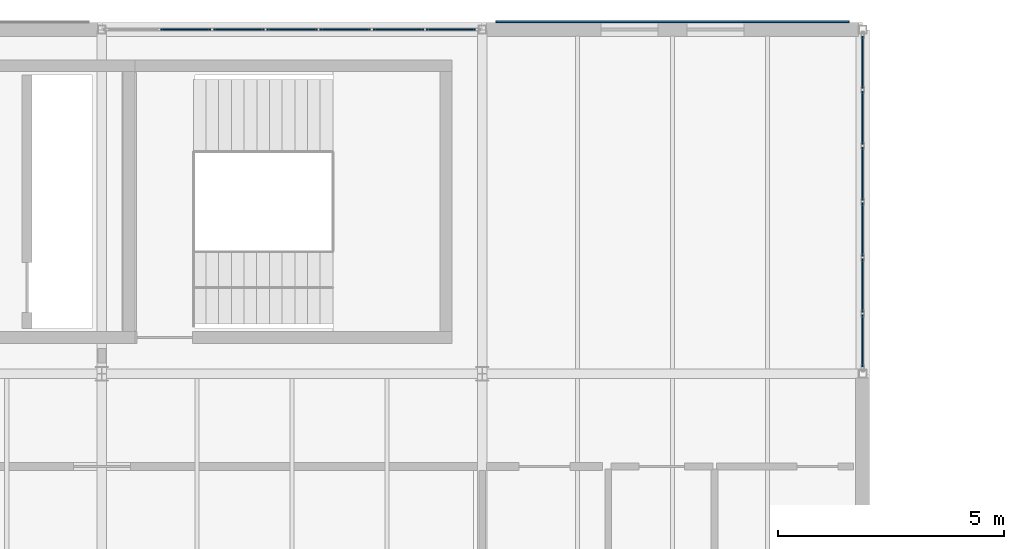
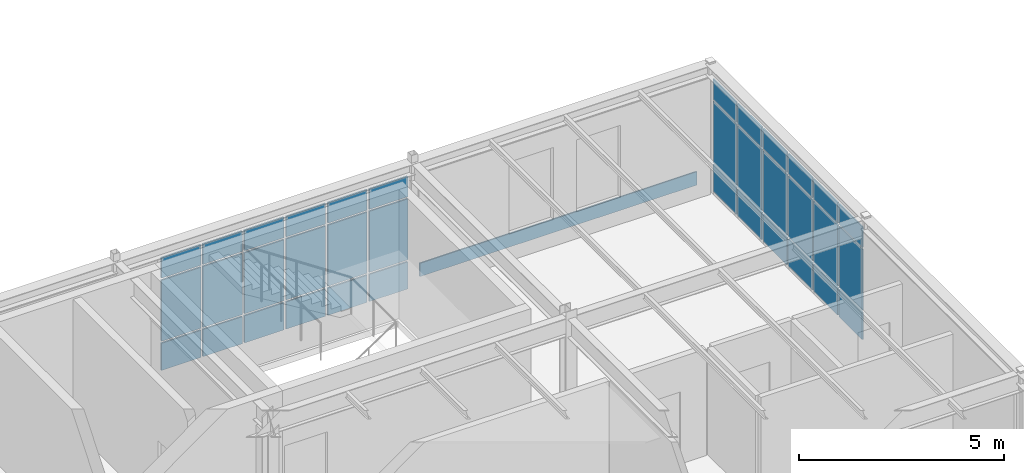
# One storey, part 43 of 65: 37 plates, 2 elements without a shape of their own.
"""IFC4 building model written with IfcOpenShell, lengths in metres."""

from ifc_helpers import new_model, si_unit, direction, frame, origin, origin_2d, place, context, subcontext, project, spatial, rectangle, extrude, material, layer, layer_set, type_object, element, aggregate, save


model = new_model("IFC4")

# Units and contexts
model_context = context("Model", 3, precision=1e-05, world=origin(), true_north=direction((0.0, 1.0)))
body_context = subcontext(model_context, "Body", "Model", "MODEL_VIEW")
ifc_project = project(units=[si_unit("LENGTHUNIT", "METRE"), si_unit("AREAUNIT", "SQUARE_METRE"), si_unit("VOLUMEUNIT", "CUBIC_METRE"), si_unit("PLANEANGLEUNIT", "RADIAN"), si_unit("MASSUNIT", "GRAM", prefix="KILO")], contexts=[model_context])

# Site, building, storey
site_placement = place(None, origin())
site = spatial("IfcSite", under=ifc_project, at=site_placement, CompositionType="ELEMENT")
building_placement = place(site_placement, origin())
building = spatial("IfcBuilding", under=site, at=building_placement, Name="Montecoro Central Library", CompositionType="ELEMENT")
storey_placement = place(building_placement, frame((0.0, 0.0, 17.340087890625)))
storey = spatial("IfcBuildingStorey", under=building, at=storey_placement, Name="L04", CompositionType="ELEMENT", Elevation=17.340087890625)

# Curtain wall, plates
ifc_material_1 = material(Name="Bronze-anodised aluminium and low-E glazing", Category="aluminium")
ifc_layer_1 = layer(ifc_material_1, 0.159912109375)
ifc_layer_set_1 = layer_set([ifc_layer_1], Name="Bronze-anodised aluminium and low-E glazing")
curtain_wall_type_1 = type_object("IfcCurtainWallType", Name="CWT-021", PredefinedType="NOTDEFINED", material=ifc_layer_set_1)
curtain_wall_1_placement = place(storey_placement, origin())
curtain_wall_1 = element("IfcCurtainWall", 1, at=curtain_wall_1_placement, inside=storey, type_object=curtain_wall_type_1, Name="V2-L04-CW-E2", PredefinedType="NOTDEFINED")
ifc_material_2 = material(Name="Laminated low-E double glazing", Category="glass")
ifc_layer_2 = layer(ifc_material_2, 0.033935546875)
ifc_layer_set_2 = layer_set([ifc_layer_2], Name="Laminated low-E double glazing")
plate_type_1 = type_object("IfcPlateType", Name="CWP-GLZ-03", PredefinedType="CURTAIN_PANEL", material=ifc_layer_set_2)
plate_1_placement = place(storey_placement, frame((116.800048828125, 112.125732421875, 0.059814453125), z_axis=(0.0, 0.0, 1.0), x_axis=(0.0, 1.0, 0.0)))
plate_1 = element("IfcPlate", 2, at=plate_1_placement, type_object=plate_type_1, Name="CW-021 panel 1.1", PredefinedType="CURTAIN_PANEL", context=body_context, shape_type="SweptSolid", body=[
    extrude(rectangle(XDim=1.145751953125, YDim=0.033935546875, at=origin_2d()), origin(), (0.0, 0.0, 1.0), 0.81005859375),
])
plate_2_placement = place(storey_placement, frame((116.800048828125, 112.125732421875, 0.9296875), z_axis=(0.0, 0.0, 1.0), x_axis=(0.0, 1.0, 0.0)))
plate_2 = element("IfcPlate", 3, at=plate_2_placement, type_object=plate_type_1, Name="CW-021 panel 1.2", PredefinedType="CURTAIN_PANEL", context=body_context, shape_type="SweptSolid", body=[
    extrude(rectangle(XDim=1.145751953125, YDim=0.033935546875, at=origin_2d()), origin(), (0.0, 0.0, 1.0), 1.820068359375),
])
plate_3_placement = place(storey_placement, frame((116.800048828125, 112.125732421875, 2.81005859375), z_axis=(0.0, 0.0, 1.0), x_axis=(0.0, 1.0, 0.0)))
plate_3 = element("IfcPlate", 4, at=plate_3_placement, type_object=plate_type_1, Name="CW-021 panel 1.3", PredefinedType="CURTAIN_PANEL", context=body_context, shape_type="SweptSolid", body=[
    extrude(rectangle(XDim=1.145751953125, YDim=0.033935546875, at=origin_2d()), origin(), (0.0, 0.0, 1.0), 0.610107421875),
])
plate_4_placement = place(storey_placement, frame((116.800048828125, 113.346435546875, 0.059814453125), z_axis=(0.0, 0.0, 1.0), x_axis=(0.0, 1.0, 0.0)))
plate_4 = element("IfcPlate", 5, at=plate_4_placement, type_object=plate_type_1, Name="CW-021 panel 2.1", PredefinedType="CURTAIN_PANEL", context=body_context, shape_type="SweptSolid", body=[
    extrude(rectangle(XDim=1.17578125, YDim=0.033935546875, at=origin_2d()), origin(), (0.0, 0.0, 1.0), 0.81005859375),
])
plate_5_placement = place(storey_placement, frame((116.800048828125, 113.346435546875, 0.9296875), z_axis=(0.0, 0.0, 1.0), x_axis=(0.0, 1.0, 0.0)))
plate_5 = element("IfcPlate", 6, at=plate_5_placement, type_object=plate_type_1, Name="CW-021 panel 2.2", PredefinedType="CURTAIN_PANEL", context=body_context, shape_type="SweptSolid", body=[
    extrude(rectangle(XDim=1.17578125, YDim=0.033935546875, at=origin_2d()), origin(), (0.0, 0.0, 1.0), 1.820068359375),
])
plate_6_placement = place(storey_placement, frame((116.800048828125, 113.346435546875, 2.81005859375), z_axis=(0.0, 0.0, 1.0), x_axis=(0.0, 1.0, 0.0)))
plate_6 = element("IfcPlate", 7, at=plate_6_placement, type_object=plate_type_1, Name="CW-021 panel 2.3", PredefinedType="CURTAIN_PANEL", context=body_context, shape_type="SweptSolid", body=[
    extrude(rectangle(XDim=1.17578125, YDim=0.033935546875, at=origin_2d()), origin(), (0.0, 0.0, 1.0), 0.610107421875),
])
plate_7_placement = place(storey_placement, frame((116.800048828125, 114.582275390625, 0.059814453125), z_axis=(0.0, 0.0, 1.0), x_axis=(0.0, 1.0, 0.0)))
plate_7 = element("IfcPlate", 8, at=plate_7_placement, type_object=plate_type_1, Name="CW-021 panel 3.1", PredefinedType="CURTAIN_PANEL", context=body_context, shape_type="SweptSolid", body=[
    extrude(rectangle(XDim=1.17578125, YDim=0.033935546875, at=origin_2d()), origin(), (0.0, 0.0, 1.0), 0.81005859375),
])
plate_8_placement = place(storey_placement, frame((116.800048828125, 114.582275390625, 0.9296875), z_axis=(0.0, 0.0, 1.0), x_axis=(0.0, 1.0, 0.0)))
plate_8 = element("IfcPlate", 9, at=plate_8_placement, type_object=plate_type_1, Name="CW-021 panel 3.2", PredefinedType="CURTAIN_PANEL", context=body_context, shape_type="SweptSolid", body=[
    extrude(rectangle(XDim=1.17578125, YDim=0.033935546875, at=origin_2d()), origin(), (0.0, 0.0, 1.0), 1.820068359375),
])
plate_9_placement = place(storey_placement, frame((116.800048828125, 114.582275390625, 2.81005859375), z_axis=(0.0, 0.0, 1.0), x_axis=(0.0, 1.0, 0.0)))
plate_9 = element("IfcPlate", 10, at=plate_9_placement, type_object=plate_type_1, Name="CW-021 panel 3.3", PredefinedType="CURTAIN_PANEL", context=body_context, shape_type="SweptSolid", body=[
    extrude(rectangle(XDim=1.17578125, YDim=0.033935546875, at=origin_2d()), origin(), (0.0, 0.0, 1.0), 0.610107421875),
])
plate_10_placement = place(storey_placement, frame((116.800048828125, 115.81787109375, 0.059814453125), z_axis=(0.0, 0.0, 1.0), x_axis=(0.0, 1.0, 0.0)))
plate_10 = element("IfcPlate", 11, at=plate_10_placement, type_object=plate_type_1, Name="CW-021 panel 4.1", PredefinedType="CURTAIN_PANEL", context=body_context, shape_type="SweptSolid", body=[
    extrude(rectangle(XDim=1.17578125, YDim=0.033935546875, at=origin_2d()), origin(), (0.0, 0.0, 1.0), 0.81005859375),
])
plate_11_placement = place(storey_placement, frame((116.800048828125, 115.81787109375, 0.9296875), z_axis=(0.0, 0.0, 1.0), x_axis=(0.0, 1.0, 0.0)))
plate_11 = element("IfcPlate", 12, at=plate_11_placement, type_object=plate_type_1, Name="CW-021 panel 4.2", PredefinedType="CURTAIN_PANEL", context=body_context, shape_type="SweptSolid", body=[
    extrude(rectangle(XDim=1.17578125, YDim=0.033935546875, at=origin_2d()), origin(), (0.0, 0.0, 1.0), 1.820068359375),
])
plate_12_placement = place(storey_placement, frame((116.800048828125, 115.81787109375, 2.81005859375), z_axis=(0.0, 0.0, 1.0), x_axis=(0.0, 1.0, 0.0)))
plate_12 = element("IfcPlate", 13, at=plate_12_placement, type_object=plate_type_1, Name="CW-021 panel 4.3", PredefinedType="CURTAIN_PANEL", context=body_context, shape_type="SweptSolid", body=[
    extrude(rectangle(XDim=1.17578125, YDim=0.033935546875, at=origin_2d()), origin(), (0.0, 0.0, 1.0), 0.610107421875),
])
plate_13_placement = place(storey_placement, frame((116.800048828125, 117.053466796875, 0.059814453125), z_axis=(0.0, 0.0, 1.0), x_axis=(0.0, 1.0, 0.0)))
plate_13 = element("IfcPlate", 14, at=plate_13_placement, type_object=plate_type_1, Name="CW-021 panel 5.1", PredefinedType="CURTAIN_PANEL", context=body_context, shape_type="SweptSolid", body=[
    extrude(rectangle(XDim=1.17578125, YDim=0.033935546875, at=origin_2d()), origin(), (0.0, 0.0, 1.0), 0.81005859375),
])
plate_14_placement = place(storey_placement, frame((116.800048828125, 117.053466796875, 0.9296875), z_axis=(0.0, 0.0, 1.0), x_axis=(0.0, 1.0, 0.0)))
plate_14 = element("IfcPlate", 15, at=plate_14_placement, type_object=plate_type_1, Name="CW-021 panel 5.2", PredefinedType="CURTAIN_PANEL", context=body_context, shape_type="SweptSolid", body=[
    extrude(rectangle(XDim=1.17578125, YDim=0.033935546875, at=origin_2d()), origin(), (0.0, 0.0, 1.0), 1.820068359375),
])
plate_15_placement = place(storey_placement, frame((116.800048828125, 117.053466796875, 2.81005859375), z_axis=(0.0, 0.0, 1.0), x_axis=(0.0, 1.0, 0.0)))
plate_15 = element("IfcPlate", 16, at=plate_15_placement, type_object=plate_type_1, Name="CW-021 panel 5.3", PredefinedType="CURTAIN_PANEL", context=body_context, shape_type="SweptSolid", body=[
    extrude(rectangle(XDim=1.17578125, YDim=0.033935546875, at=origin_2d()), origin(), (0.0, 0.0, 1.0), 0.610107421875),
])
plate_16_placement = place(storey_placement, frame((116.800048828125, 118.274169921875, 0.059814453125), z_axis=(0.0, 0.0, 1.0), x_axis=(0.0, 1.0, 0.0)))
plate_16 = element("IfcPlate", 17, at=plate_16_placement, type_object=plate_type_1, Name="CW-021 panel 6.1", PredefinedType="CURTAIN_PANEL", context=body_context, shape_type="SweptSolid", body=[
    extrude(rectangle(XDim=1.145751953125, YDim=0.033935546875, at=origin_2d()), origin(), (0.0, 0.0, 1.0), 0.81005859375),
])
plate_17_placement = place(storey_placement, frame((116.800048828125, 118.274169921875, 0.9296875), z_axis=(0.0, 0.0, 1.0), x_axis=(0.0, 1.0, 0.0)))
plate_17 = element("IfcPlate", 18, at=plate_17_placement, type_object=plate_type_1, Name="CW-021 panel 6.2", PredefinedType="CURTAIN_PANEL", context=body_context, shape_type="SweptSolid", body=[
    extrude(rectangle(XDim=1.145751953125, YDim=0.033935546875, at=origin_2d()), origin(), (0.0, 0.0, 1.0), 1.820068359375),
])
plate_18_placement = place(storey_placement, frame((116.800048828125, 118.274169921875, 2.81005859375), z_axis=(0.0, 0.0, 1.0), x_axis=(0.0, 1.0, 0.0)))
plate_18 = element("IfcPlate", 19, at=plate_18_placement, type_object=plate_type_1, Name="CW-021 panel 6.3", PredefinedType="CURTAIN_PANEL", context=body_context, shape_type="SweptSolid", body=[
    extrude(rectangle(XDim=1.145751953125, YDim=0.033935546875, at=origin_2d()), origin(), (0.0, 0.0, 1.0), 0.610107421875),
])
aggregate(curtain_wall_1, [plate_1, plate_2, plate_3, plate_4, plate_5, plate_6, plate_7, plate_8, plate_9, plate_10, plate_11, plate_12, plate_13, plate_14, plate_15, plate_16, plate_17, plate_18])

ifc_layer_3 = layer(ifc_material_1, 0.159912109375)
ifc_layer_set_3 = layer_set([ifc_layer_3], Name="Bronze-anodised aluminium and low-E glazing")
curtain_wall_type_2 = type_object("IfcCurtainWallType", Name="CWT-022", PredefinedType="NOTDEFINED", material=ifc_layer_set_3)
curtain_wall_2_placement = place(storey_placement, origin())
curtain_wall_2 = element("IfcCurtainWall", 20, at=curtain_wall_2_placement, inside=storey, type_object=curtain_wall_type_2, Name="V2-L04-CW-N4", PredefinedType="NOTDEFINED")
ifc_layer_4 = layer(ifc_material_2, 0.0419921875)
ifc_layer_set_4 = layer_set([ifc_layer_4], Name="Laminated low-E double glazing")
plate_type_2 = type_object("IfcPlateType", Name="CWP-GLZ-05", PredefinedType="CURTAIN_PANEL", material=ifc_layer_set_4)
plate_19_placement = place(storey_placement, frame((107.705322265625, 119.0, 0.059814453125), z_axis=(0.0, 0.0, 1.0), x_axis=(-1.0, 0.0, 0.0)))
plate_19 = element("IfcPlate", 21, at=plate_19_placement, type_object=plate_type_2, Name="CW-022 panel 1.1", PredefinedType="CURTAIN_PANEL", context=body_context, shape_type="SweptSolid", body=[
    extrude(rectangle(XDim=1.08349609375, YDim=0.0419921875, at=origin_2d()), origin(), (0.0, 0.0, 1.0), 0.81005859375),
])
plate_20_placement = place(storey_placement, frame((107.705322265625, 119.0, 0.9296875), z_axis=(0.0, 0.0, 1.0), x_axis=(-1.0, 0.0, 0.0)))
plate_20 = element("IfcPlate", 22, at=plate_20_placement, type_object=plate_type_2, Name="CW-022 panel 1.2", PredefinedType="CURTAIN_PANEL", context=body_context, shape_type="SweptSolid", body=[
    extrude(rectangle(XDim=1.08349609375, YDim=0.0419921875, at=origin_2d()), origin(), (0.0, 0.0, 1.0), 1.820068359375),
])
plate_21_placement = place(storey_placement, frame((107.705322265625, 119.0, 2.81005859375), z_axis=(0.0, 0.0, 1.0), x_axis=(-1.0, 0.0, 0.0)))
plate_21 = element("IfcPlate", 23, at=plate_21_placement, type_object=plate_type_2, Name="CW-022 panel 1.3", PredefinedType="CURTAIN_PANEL", context=body_context, shape_type="SweptSolid", body=[
    extrude(rectangle(XDim=1.08349609375, YDim=0.0419921875, at=origin_2d()), origin(), (0.0, 0.0, 1.0), 0.610107421875),
])
plate_22_placement = place(storey_placement, frame((106.546875, 119.0, 0.059814453125), z_axis=(0.0, 0.0, 1.0), x_axis=(-1.0, 0.0, 0.0)))
plate_22 = element("IfcPlate", 24, at=plate_22_placement, type_object=plate_type_2, Name="CW-022 panel 2.1", PredefinedType="CURTAIN_PANEL", context=body_context, shape_type="SweptSolid", body=[
    extrude(rectangle(XDim=1.113525390625, YDim=0.0419921875, at=origin_2d()), origin(), (0.0, 0.0, 1.0), 0.81005859375),
])
plate_23_placement = place(storey_placement, frame((106.546875, 119.0, 0.9296875), z_axis=(0.0, 0.0, 1.0), x_axis=(-1.0, 0.0, 0.0)))
plate_23 = element("IfcPlate", 25, at=plate_23_placement, type_object=plate_type_2, Name="CW-022 panel 2.2", PredefinedType="CURTAIN_PANEL", context=body_context, shape_type="SweptSolid", body=[
    extrude(rectangle(XDim=1.113525390625, YDim=0.0419921875, at=origin_2d()), origin(), (0.0, 0.0, 1.0), 1.820068359375),
])
plate_24_placement = place(storey_placement, frame((106.546875, 119.0, 2.81005859375), z_axis=(0.0, 0.0, 1.0), x_axis=(-1.0, 0.0, 0.0)))
plate_24 = element("IfcPlate", 26, at=plate_24_placement, type_object=plate_type_2, Name="CW-022 panel 2.3", PredefinedType="CURTAIN_PANEL", context=body_context, shape_type="SweptSolid", body=[
    extrude(rectangle(XDim=1.113525390625, YDim=0.0419921875, at=origin_2d()), origin(), (0.0, 0.0, 1.0), 0.610107421875),
])
plate_25_placement = place(storey_placement, frame((105.37353515625, 119.0, 0.059814453125), z_axis=(0.0, 0.0, 1.0), x_axis=(-1.0, 0.0, 0.0)))
plate_25 = element("IfcPlate", 27, at=plate_25_placement, type_object=plate_type_2, Name="CW-022 panel 3.1", PredefinedType="CURTAIN_PANEL", context=body_context, shape_type="SweptSolid", body=[
    extrude(rectangle(XDim=1.113525390625, YDim=0.0419921875, at=origin_2d()), origin(), (0.0, 0.0, 1.0), 0.81005859375),
])
plate_26_placement = place(storey_placement, frame((105.37353515625, 119.0, 0.9296875), z_axis=(0.0, 0.0, 1.0), x_axis=(-1.0, 0.0, 0.0)))
plate_26 = element("IfcPlate", 28, at=plate_26_placement, type_object=plate_type_2, Name="CW-022 panel 3.2", PredefinedType="CURTAIN_PANEL", context=body_context, shape_type="SweptSolid", body=[
    extrude(rectangle(XDim=1.113525390625, YDim=0.0419921875, at=origin_2d()), origin(), (0.0, 0.0, 1.0), 1.820068359375),
])
plate_27_placement = place(storey_placement, frame((105.37353515625, 119.0, 2.81005859375), z_axis=(0.0, 0.0, 1.0), x_axis=(-1.0, 0.0, 0.0)))
plate_27 = element("IfcPlate", 29, at=plate_27_placement, type_object=plate_type_2, Name="CW-022 panel 3.3", PredefinedType="CURTAIN_PANEL", context=body_context, shape_type="SweptSolid", body=[
    extrude(rectangle(XDim=1.113525390625, YDim=0.0419921875, at=origin_2d()), origin(), (0.0, 0.0, 1.0), 0.610107421875),
])
plate_28_placement = place(storey_placement, frame((104.199951171875, 119.0, 0.059814453125), z_axis=(0.0, 0.0, 1.0), x_axis=(-1.0, 0.0, 0.0)))
plate_28 = element("IfcPlate", 30, at=plate_28_placement, type_object=plate_type_2, Name="CW-022 panel 4.1", PredefinedType="CURTAIN_PANEL", context=body_context, shape_type="SweptSolid", body=[
    extrude(rectangle(XDim=1.113525390625, YDim=0.0419921875, at=origin_2d()), origin(), (0.0, 0.0, 1.0), 0.81005859375),
])
plate_29_placement = place(storey_placement, frame((104.199951171875, 119.0, 0.9296875), z_axis=(0.0, 0.0, 1.0), x_axis=(-1.0, 0.0, 0.0)))
plate_29 = element("IfcPlate", 31, at=plate_29_placement, type_object=plate_type_2, Name="CW-022 panel 4.2", PredefinedType="CURTAIN_PANEL", context=body_context, shape_type="SweptSolid", body=[
    extrude(rectangle(XDim=1.113525390625, YDim=0.0419921875, at=origin_2d()), origin(), (0.0, 0.0, 1.0), 1.820068359375),
])
plate_30_placement = place(storey_placement, frame((104.199951171875, 119.0, 2.81005859375), z_axis=(0.0, 0.0, 1.0), x_axis=(-1.0, 0.0, 0.0)))
plate_30 = element("IfcPlate", 32, at=plate_30_placement, type_object=plate_type_2, Name="CW-022 panel 4.3", PredefinedType="CURTAIN_PANEL", context=body_context, shape_type="SweptSolid", body=[
    extrude(rectangle(XDim=1.113525390625, YDim=0.0419921875, at=origin_2d()), origin(), (0.0, 0.0, 1.0), 0.610107421875),
])
plate_31_placement = place(storey_placement, frame((103.026611328125, 119.0, 0.059814453125), z_axis=(0.0, 0.0, 1.0), x_axis=(-1.0, 0.0, 0.0)))
plate_31 = element("IfcPlate", 33, at=plate_31_placement, type_object=plate_type_2, Name="CW-022 panel 5.1", PredefinedType="CURTAIN_PANEL", context=body_context, shape_type="SweptSolid", body=[
    extrude(rectangle(XDim=1.113525390625, YDim=0.0419921875, at=origin_2d()), origin(), (0.0, 0.0, 1.0), 0.81005859375),
])
plate_32_placement = place(storey_placement, frame((103.026611328125, 119.0, 0.9296875), z_axis=(0.0, 0.0, 1.0), x_axis=(-1.0, 0.0, 0.0)))
plate_32 = element("IfcPlate", 34, at=plate_32_placement, type_object=plate_type_2, Name="CW-022 panel 5.2", PredefinedType="CURTAIN_PANEL", context=body_context, shape_type="SweptSolid", body=[
    extrude(rectangle(XDim=1.113525390625, YDim=0.0419921875, at=origin_2d()), origin(), (0.0, 0.0, 1.0), 1.820068359375),
])
plate_33_placement = place(storey_placement, frame((103.026611328125, 119.0, 2.81005859375), z_axis=(0.0, 0.0, 1.0), x_axis=(-1.0, 0.0, 0.0)))
plate_33 = element("IfcPlate", 35, at=plate_33_placement, type_object=plate_type_2, Name="CW-022 panel 5.3", PredefinedType="CURTAIN_PANEL", context=body_context, shape_type="SweptSolid", body=[
    extrude(rectangle(XDim=1.113525390625, YDim=0.0419921875, at=origin_2d()), origin(), (0.0, 0.0, 1.0), 0.610107421875),
])
plate_34_placement = place(storey_placement, frame((101.85302734375, 119.0, 0.059814453125), z_axis=(0.0, 0.0, 1.0), x_axis=(-1.0, 0.0, 0.0)))
plate_34 = element("IfcPlate", 36, at=plate_34_placement, type_object=plate_type_2, Name="CW-022 panel 6.1", PredefinedType="CURTAIN_PANEL", context=body_context, shape_type="SweptSolid", body=[
    extrude(rectangle(XDim=1.113525390625, YDim=0.0419921875, at=origin_2d()), origin(), (0.0, 0.0, 1.0), 0.81005859375),
])
plate_35_placement = place(storey_placement, frame((101.85302734375, 119.0, 0.9296875), z_axis=(0.0, 0.0, 1.0), x_axis=(-1.0, 0.0, 0.0)))
plate_35 = element("IfcPlate", 37, at=plate_35_placement, type_object=plate_type_2, Name="CW-022 panel 6.2", PredefinedType="CURTAIN_PANEL", context=body_context, shape_type="SweptSolid", body=[
    extrude(rectangle(XDim=1.113525390625, YDim=0.0419921875, at=origin_2d()), origin(), (0.0, 0.0, 1.0), 1.820068359375),
])
plate_36_placement = place(storey_placement, frame((101.85302734375, 119.0, 2.81005859375), z_axis=(0.0, 0.0, 1.0), x_axis=(-1.0, 0.0, 0.0)))
plate_36 = element("IfcPlate", 38, at=plate_36_placement, type_object=plate_type_2, Name="CW-022 panel 6.3", PredefinedType="CURTAIN_PANEL", context=body_context, shape_type="SweptSolid", body=[
    extrude(rectangle(XDim=1.113525390625, YDim=0.0419921875, at=origin_2d()), origin(), (0.0, 0.0, 1.0), 0.610107421875),
])
aggregate(curtain_wall_2, [plate_19, plate_20, plate_21, plate_22, plate_23, plate_24, plate_25, plate_26, plate_27, plate_28, plate_29, plate_30, plate_31, plate_32, plate_33, plate_34, plate_35, plate_36])

# Plate
ifc_material_3 = material(Name="Architectural bronze spandrel plate", Category="aluminium")
ifc_layer_5 = layer(ifc_material_3, 0.035888671875)
ifc_layer_set_5 = layer_set([ifc_layer_5], Name="Architectural bronze spandrel plate")
plate_type_3 = type_object("IfcPlateType", Name="PLT-SPN-03", PredefinedType="SHEET", material=ifc_layer_set_5)
plate_37_placement = place(storey_placement, frame((112.60009765625, 119.173095703125, 0.159912109375), z_axis=(0.0, 0.0, 1.0), x_axis=(-1.0, 0.0, 0.0)))
element("IfcPlate", 39, at=plate_37_placement, inside=storey, type_object=plate_type_3, Name="V2-L04-SPN-N5", PredefinedType="SHEET", context=body_context, shape_type="SweptSolid", body=[
    extrude(rectangle(XDim=7.81396484375, YDim=0.035888671875, at=origin_2d()), origin(), (0.0, 0.0, 1.0), 0.39990234375),
])

save(model, "model.ifc")
